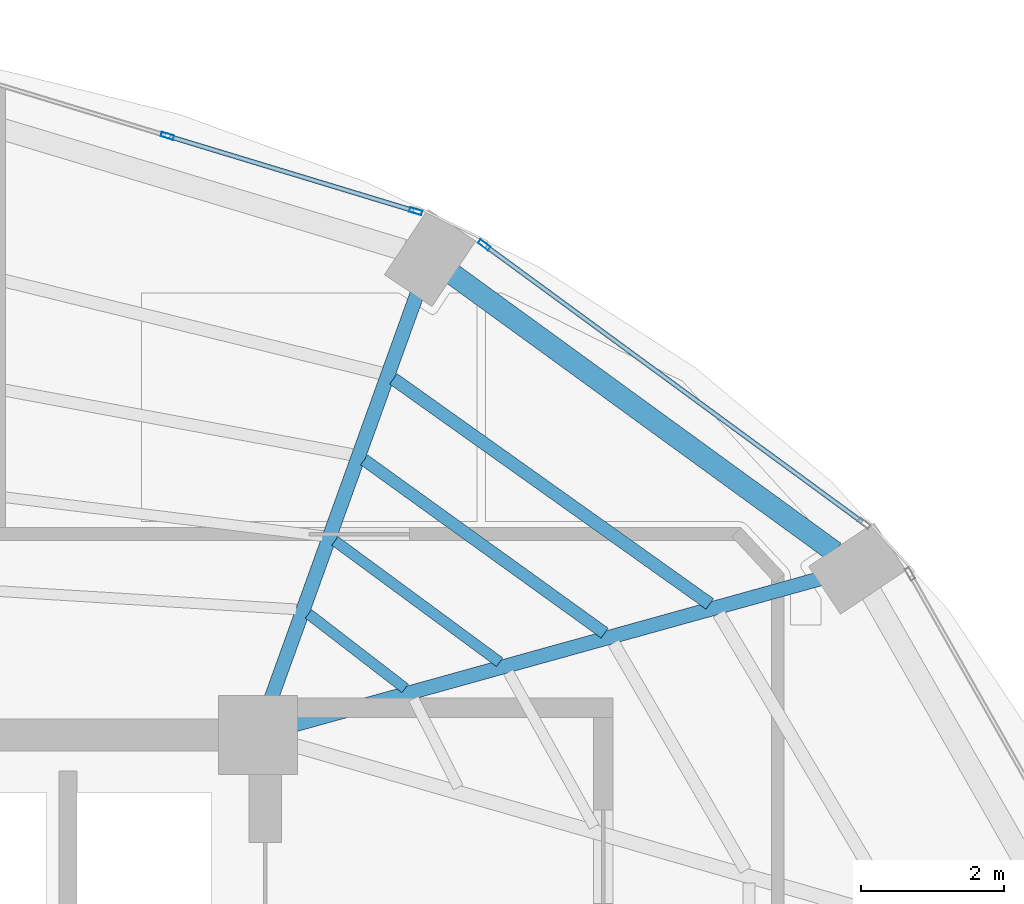
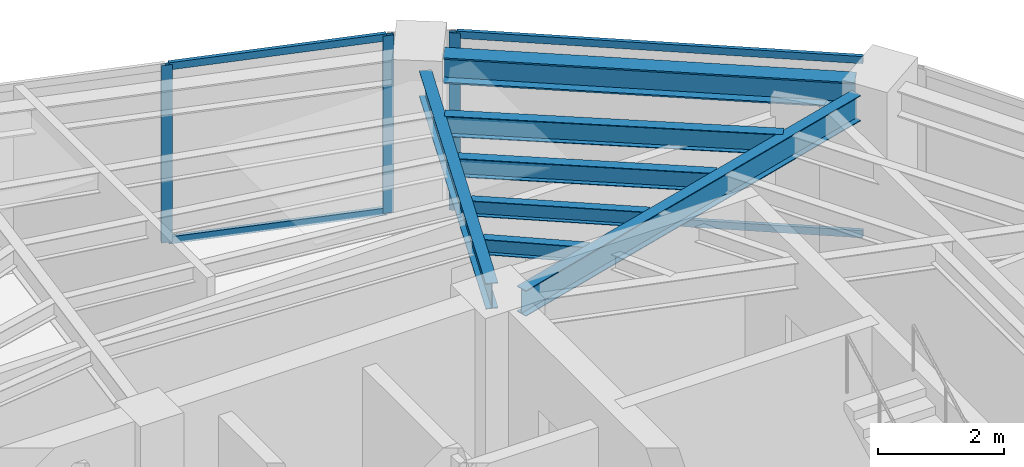
# One storey, part 6 of 15: 7 beams, 7 members, 2 elements without a shape of their own.
"""IFC4 building model written with IfcOpenShell, lengths in metres."""

import ifcopenshell
import ifcopenshell.guid

model = None  # the IFC model being written
_history = None  # IfcOwnerHistory: only IFC2X3 demands one
_inside = {}  # id of a spatial element -> (the spatial element, [elements in it])
_under = {}  # id of a project, library or spatial element -> (it, [spatial elements below it])
_declared = {}  # id of a project -> (the project, [libraries it declares])
_typed = {}  # id of a type object -> (the type object, [elements of that type])
_made_of = {}  # id of a material, layer set ... -> (it, [elements and type objects made of it])


def new_model(schema):
    """Start an empty IFC model of exactly this schema.

    Asked for "IFC4X3", IfcOpenShell would pick the latest addendum, in which some entities
    have other attributes; the version numbers below select the first issue.
    IFC2X3 requires an IfcOwnerHistory on every rooted entity: one is made here for all.
    """
    global model, _history
    if schema == "IFC4X3":
        model = ifcopenshell.file(schema_version=(4, 3, 0, 0))
    else:
        model = ifcopenshell.file(schema=schema)
    _inside.clear()
    _under.clear()
    _declared.clear()
    _typed.clear()
    _made_of.clear()
    _history = None
    if model.schema == "IFC2X3":
        org = make("IfcOrganization", Name="unknown")
        user = make(
            "IfcPersonAndOrganization",
            ThePerson=make("IfcPerson", FamilyName="unknown"),
            TheOrganization=org,
        )
        app = make(
            "IfcApplication",
            ApplicationDeveloper=org,
            Version="unknown",
            ApplicationFullName="unknown",
            ApplicationIdentifier="unknown",
        )
        _history = make(
            "IfcOwnerHistory",
            OwningUser=user,
            OwningApplication=app,
            ChangeAction="ADDED",
            CreationDate=0,
        )
    return model


def make(cls, **values):
    """One entity of the class cls with the attributes given. An attribute that is None is left unset."""
    return model.create_entity(
        cls, **{name: value for name, value in values.items() if value is not None}
    )


def rooted(cls, **values):
    """An entity with a GlobalId (a new one), such as an element, a storey or a relation."""
    return make(cls, GlobalId=ifcopenshell.guid.new(), OwnerHistory=_history, **values)


def si_unit(unit_type, name, prefix=None):
    """IfcSIUnit, for example si_unit("LENGTHUNIT", "METRE", prefix="MILLI")."""
    return make("IfcSIUnit", UnitType=unit_type, Prefix=prefix, Name=name)


def assignment(units):
    """IfcUnitAssignment: the units of a project."""
    return None if units is None else make("IfcUnitAssignment", Units=units)


def point(xyz):
    """IfcCartesianPoint."""
    return None if xyz is None else make("IfcCartesianPoint", Coordinates=xyz)


def direction(xyz):
    """IfcDirection."""
    return None if xyz is None else make("IfcDirection", DirectionRatios=xyz)


def frame(location, z_axis=None, x_axis=None):
    """IfcAxis2Placement3D, a coordinate frame: its origin and axes. An axis left out is left unset."""
    return make(
        "IfcAxis2Placement3D",
        Location=point(location),
        Axis=direction(z_axis),
        RefDirection=direction(x_axis),
    )


def frame_2d(location, x_axis=None):
    """IfcAxis2Placement2D, a coordinate frame in the plane: its origin and x axis."""
    return make(
        "IfcAxis2Placement2D", Location=point(location), RefDirection=direction(x_axis)
    )


def origin():
    """The frame at (0, 0, 0) with its axes left unset."""
    return frame((0.0, 0.0, 0.0))


def origin_2d():
    """The frame at (0, 0) in the plane with its x axis left unset."""
    return frame_2d((0.0, 0.0))


def place(relative_to, where):
    """IfcLocalPlacement: puts the frame where relative to a parent placement (None: the world)."""
    return make(
        "IfcLocalPlacement", PlacementRelTo=relative_to, RelativePlacement=where
    )


def context(
    kind, dimensions, precision=None, world=None, true_north=None, identifier=None
):
    """IfcGeometricRepresentationContext, for example the 3D "Model" context."""
    return make(
        "IfcGeometricRepresentationContext",
        ContextIdentifier=identifier,
        ContextType=kind,
        CoordinateSpaceDimension=dimensions,
        Precision=precision,
        WorldCoordinateSystem=world,
        TrueNorth=true_north,
    )


def subcontext(parent, identifier, kind, view, scale=None):
    """IfcGeometricRepresentationSubContext, for example "Body" below "Model"."""
    return make(
        "IfcGeometricRepresentationSubContext",
        ContextIdentifier=identifier,
        ContextType=kind,
        ParentContext=parent,
        TargetScale=scale,
        TargetView=view,
    )


def project(units=None, contexts=None):
    """IfcProject with its units and contexts."""
    return rooted(
        "IfcProject",
        Name="project",
        RepresentationContexts=contexts,
        UnitsInContext=assignment(units),
    )


def spatial(cls, under=None, at=None, **own):
    """A site, building, storey or space (cls), placed at a placement, below another one or the project."""
    s = rooted(cls, ObjectPlacement=at, **own)
    if under is not None:
        _under.setdefault(under.id(), (under, []))[1].append(s)
    return s


def profile(cls, at=None, kind="AREA", **sizes):
    """A parametric profile (cls). Its sizes go by their IFC names, for example OverallWidth=200.0."""
    return make(cls, ProfileType=kind, Position=at, **sizes)


def hollow_rectangle(**sizes):
    """IfcRectangleHollowProfileDef."""
    return profile("IfcRectangleHollowProfileDef", **sizes)


def i_section(**sizes):
    """IfcIShapeProfileDef."""
    return profile("IfcIShapeProfileDef", **sizes)


def extrude(swept, where, along, depth):
    """IfcExtrudedAreaSolid: the profile swept, set in the frame where, extruded along a direction by depth."""
    return make(
        "IfcExtrudedAreaSolid",
        SweptArea=swept,
        Position=where,
        ExtrudedDirection=direction(along),
        Depth=depth,
    )


def shape(context_of_items, identifier, shape_type, items):
    """IfcShapeRepresentation: the items that make up one representation, for example the "Body"."""
    return make(
        "IfcShapeRepresentation",
        ContextOfItems=context_of_items,
        RepresentationIdentifier=identifier,
        RepresentationType=shape_type,
        Items=items,
    )


def material(Name=None, Category=None):
    """IfcMaterial."""
    return make("IfcMaterial", Name=Name, Category=Category)


def layer(
    of_material, thickness, ventilated=None, Name=None, Category=None, Priority=None
):
    """IfcMaterialLayer: one layer of a wall or slab, of a material (None: an air gap)."""
    return make(
        "IfcMaterialLayer",
        Material=of_material,
        LayerThickness=thickness,
        IsVentilated=ventilated,
        Name=Name,
        Category=Category,
        Priority=Priority,
    )


def layer_set(layers, Name=None):
    """IfcMaterialLayerSet."""
    return make("IfcMaterialLayerSet", MaterialLayers=layers, LayerSetName=Name)


def material_profile(
    of_material, cross_section, Name=None, Category=None, Priority=None
):
    """IfcMaterialProfile: a cross section and its material."""
    return make(
        "IfcMaterialProfile",
        Name=Name,
        Material=of_material,
        Profile=cross_section,
        Priority=Priority,
        Category=Category,
    )


def profile_set(profiles, Name=None, composite=None):
    """IfcMaterialProfileSet."""
    return make(
        "IfcMaterialProfileSet",
        Name=Name,
        MaterialProfiles=profiles,
        CompositeProfile=composite,
    )


def made_of(thing, what):
    """Note that an element or type object is made of a material, layer set ...; save() writes the relation."""
    if what is not None:
        _made_of.setdefault(what.id(), (what, []))[1].append(thing)
    return thing


def type_object(cls, material=None, **own):
    """A type object (cls), such as IfcWallType, which elements share."""
    return made_of(rooted(cls, **own), material)


def element(
    cls,
    number,
    at=None,
    inside=None,
    cuts=None,
    type_object=None,
    material=None,
    context=None,
    identifier="Body",
    shape_type=None,
    held_by="IfcProductDefinitionShape",
    body=None,
    shapes=None,
    **own,
):
    """One element of the class cls, such as IfcWall. Its Tag is "e" and its number.

    at: its placement. inside: the storey or other place that contains it. cuts: it is an
    opening in that element (IfcRelVoidsElement). A single representation is given by context,
    identifier, shape_type and body (its items); several are given by shapes. held_by: the class
    of the entity that holds the representations. save() writes the other relations.
    """
    e = rooted(cls, Tag="e%d" % number, ObjectPlacement=at, **own)
    if body is not None:
        shapes = [shape(context, identifier, shape_type, body)]
    if shapes is not None:
        e.Representation = make(held_by, Representations=shapes)
    if inside is not None:
        _inside.setdefault(inside.id(), (inside, []))[1].append(e)
    if cuts is not None:
        rooted(
            "IfcRelVoidsElement", RelatingBuildingElement=cuts, RelatedOpeningElement=e
        )
    if type_object is not None:
        _typed.setdefault(type_object.id(), (type_object, []))[1].append(e)
    return made_of(e, material)


def aggregate(whole, parts):
    """IfcRelAggregates: a whole, such as a stair, and the parts it consists of."""
    return rooted("IfcRelAggregates", RelatingObject=whole, RelatedObjects=parts)


def save(model, path):
    """Write the relations noted so far, then the file.

    IfcRelAggregates (storeys below a building ...), IfcRelContainedInSpatialStructure (elements
    in a storey), IfcRelDefinesByType, IfcRelAssociatesMaterial and IfcRelDeclares: one each for
    every whole, place, type object, material and project.
    """
    for whole, parts in _under.values():
        aggregate(whole, parts)
    for where, things in _inside.values():
        rooted(
            "IfcRelContainedInSpatialStructure",
            RelatedElements=things,
            RelatingStructure=where,
        )
    for kind, things in _typed.values():
        rooted("IfcRelDefinesByType", RelatedObjects=things, RelatingType=kind)
    for what, things in _made_of.values():
        rooted("IfcRelAssociatesMaterial", RelatedObjects=things, RelatingMaterial=what)
    for by, libraries in _declared.values():
        rooted("IfcRelDeclares", RelatingContext=by, RelatedDefinitions=libraries)
    model.write(path)


model = new_model("IFC4")

# Units and contexts
model_context = context("Model", 3, precision=1e-05, world=origin(), true_north=direction((0.0, 1.0)))
body_context = subcontext(model_context, "Body", "Model", "MODEL_VIEW")
ifc_project = project(units=[si_unit("LENGTHUNIT", "METRE"), si_unit("AREAUNIT", "SQUARE_METRE"), si_unit("VOLUMEUNIT", "CUBIC_METRE"), si_unit("PLANEANGLEUNIT", "RADIAN"), si_unit("MASSUNIT", "GRAM", prefix="KILO")], contexts=[model_context])

# Site, building, storey
site_placement = place(None, origin())
site = spatial("IfcSite", under=ifc_project, at=site_placement, CompositionType="ELEMENT")
building_placement = place(site_placement, origin())
building = spatial("IfcBuilding", under=site, at=building_placement, Name="Lazwardi Medical Tower", CompositionType="ELEMENT")
storey_placement = place(building_placement, frame((0.0, 0.0, 280.56005859375)))
storey = spatial("IfcBuildingStorey", under=building, at=storey_placement, Name="L73", CompositionType="ELEMENT", Elevation=280.56005859375)

# Beams
ifc_material_1 = material(Name="Steel S355", Category="steel")
ifc_material_profile_1 = material_profile(ifc_material_1, i_section(OverallWidth=0.300048828125, OverallDepth=0.5, WebThickness=0.014404296875, FlangeThickness=0.028076171875, at=origin_2d()), Name="HEB 500")
ifc_profile_set_1 = profile_set([ifc_material_profile_1], Name="Steel S355")
beam_type_1 = type_object("IfcBeamType", Name="BM-RB-Z4", PredefinedType="BEAM", material=ifc_profile_set_1)
beam_1_placement = place(storey_placement, frame((53.644287109375, 38.15185546875, 3.197998046875), z_axis=(-0.808889916254, 0.587960120571, 0.0), x_axis=(-0.587960120571, -0.808889916254, 0.0)))
element("IfcBeam", 1, at=beam_1_placement, inside=storey, type_object=beam_type_1, Name="Ring beam RB-05 B06 L73", PredefinedType="BEAM", context=body_context, shape_type="SweptSolid", body=[
    extrude(i_section(OverallWidth=0.300048828125, OverallDepth=0.5, WebThickness=0.014404296875, FlangeThickness=0.028076171875, at=origin_2d()), origin(), (0.0, 0.0, 1.0), 6.587158203125),
])
ifc_material_profile_2 = material_profile(ifc_material_1, i_section(OverallWidth=0.199951171875, OverallDepth=0.5, WebThickness=0.01025390625, FlangeThickness=0.01611328125, at=origin_2d()), Name="IPE 500")
ifc_profile_set_2 = profile_set([ifc_material_profile_2], Name="Steel S355")
beam_type_2 = type_object("IfcBeamType", Name="BM-RG-W3", PredefinedType="BEAM", material=ifc_profile_set_2)
beam_2_placement = place(storey_placement, frame((53.444091796875, 37.779296875, 3.197998046875), z_axis=(-0.963504112843, -0.267693527254, 0.0), x_axis=(0.267693527254, -0.963504112843, 0.0)))
element("IfcBeam", 2, at=beam_2_placement, inside=storey, type_object=beam_type_2, Name="Radial girder RG-04 R06 L73", PredefinedType="BEAM", context=body_context, shape_type="SweptSolid", body=[
    extrude(i_section(OverallWidth=0.199951171875, OverallDepth=0.5, WebThickness=0.01025390625, FlangeThickness=0.01611328125, at=origin_2d()), origin(), (0.0, 0.0, 1.0), 7.606201171875),
])
beam_3_placement = place(storey_placement, frame((47.81884765625, 41.750732421875, 3.197998046875), z_axis=(-0.339348661818, -0.940660664492, 0.0), x_axis=(0.940660664492, -0.339348661818, 0.0)))
element("IfcBeam", 3, at=beam_3_placement, inside=storey, type_object=beam_type_2, Name="Radial girder RG-04 R07 L73", PredefinedType="BEAM", context=body_context, shape_type="SweptSolid", body=[
    extrude(i_section(OverallWidth=0.199951171875, OverallDepth=0.5, WebThickness=0.01025390625, FlangeThickness=0.01611328125, at=origin_2d()), origin(), (0.0, 0.0, 1.0), 6.003662109375),
])
ifc_material_profile_3 = material_profile(ifc_material_1, i_section(OverallWidth=0.179931640625, OverallDepth=0.39990234375, WebThickness=0.008544921875, FlangeThickness=0.013427734375, at=origin_2d()), Name="IPE 400")
ifc_profile_set_3 = profile_set([ifc_material_profile_3], Name="Steel S355")
beam_type_3 = type_object("IfcBeamType", Name="BM-SJ-01", PredefinedType="JOIST", material=ifc_profile_set_3)
beam_4_placement = place(storey_placement, frame((51.901123046875, 37.42724609375, 3.248046875), z_axis=(-0.814846949116, 0.579676159176, 0.0), x_axis=(-0.579676159176, -0.814846949116, 0.0)))
element("IfcBeam", 4, at=beam_4_placement, inside=storey, type_object=beam_type_3, Name="Secondary joist SJ-01 R1 B06 L73", PredefinedType="JOIST", context=body_context, shape_type="SweptSolid", body=[
    extrude(i_section(OverallWidth=0.179931640625, OverallDepth=0.39990234375, WebThickness=0.008544921875, FlangeThickness=0.013427734375, at=origin_2d()), origin(), (0.0, 0.0, 1.0), 5.4150390625),
])
ifc_material_profile_4 = material_profile(ifc_material_1, i_section(OverallWidth=0.169921875, OverallDepth=0.360107421875, WebThickness=0.008056640625, FlangeThickness=0.0126953125, at=origin_2d()), Name="IPE 360")
ifc_profile_set_4 = profile_set([ifc_material_profile_4], Name="Steel S355")
beam_type_4 = type_object("IfcBeamType", Name="BM-SJ-02", PredefinedType="JOIST", material=ifc_profile_set_4)
beam_5_placement = place(storey_placement, frame((50.435546875, 37.0205078125, 3.267822265625), z_axis=(-0.811472726235, 0.58439029302, 0.0), x_axis=(-0.58439029302, -0.811472726235, 0.0)))
element("IfcBeam", 5, at=beam_5_placement, inside=storey, type_object=beam_type_4, Name="Secondary joist SJ-02 R2 B06 L73", PredefinedType="JOIST", context=body_context, shape_type="SweptSolid", body=[
    extrude(i_section(OverallWidth=0.169921875, OverallDepth=0.360107421875, WebThickness=0.008056640625, FlangeThickness=0.0126953125, at=origin_2d()), origin(), (0.0, 0.0, 1.0), 4.1337890625),
])
ifc_material_profile_5 = material_profile(ifc_material_1, i_section(OverallWidth=0.14990234375, OverallDepth=0.300048828125, WebThickness=0.007080078125, FlangeThickness=0.0107421875, at=origin_2d()), Name="IPE 300")
ifc_profile_set_5 = profile_set([ifc_material_profile_5], Name="Steel S355")
beam_type_5 = type_object("IfcBeamType", Name="BM-SJ-03", PredefinedType="JOIST", material=ifc_profile_set_5)
beam_6_placement = place(storey_placement, frame((48.970458984375, 36.614013671875, 3.2978515625), z_axis=(-0.805236450776, 0.592953841662, 0.0), x_axis=(-0.592953841662, -0.805236450776, 0.0)))
element("IfcBeam", 6, at=beam_6_placement, inside=storey, type_object=beam_type_5, Name="Secondary joist SJ-03 R3 B06 L73", PredefinedType="JOIST", context=body_context, shape_type="SweptSolid", body=[
    extrude(i_section(OverallWidth=0.14990234375, OverallDepth=0.300048828125, WebThickness=0.007080078125, FlangeThickness=0.0107421875, at=origin_2d()), origin(), (0.0, 0.0, 1.0), 2.853271484375),
])
beam_7_placement = place(storey_placement, frame((47.652587890625, 36.2490234375, 3.2978515625), z_axis=(-0.792010197197, 0.610507860339, 0.0), x_axis=(-0.610507860339, -0.792010197197, 0.0)))
element("IfcBeam", 7, at=beam_7_placement, inside=storey, type_object=beam_type_5, Name="Secondary joist SJ-03 R4 B06 L73", PredefinedType="JOIST", context=body_context, shape_type="SweptSolid", body=[
    extrude(i_section(OverallWidth=0.14990234375, OverallDepth=0.300048828125, WebThickness=0.007080078125, FlangeThickness=0.0107421875, at=origin_2d()), origin(), (0.0, 0.0, 1.0), 1.70166015625),
])

# Curtain wall, member
ifc_material_2 = material(Name="Anodised bronze aluminium and solar control glazing", Category="aluminium")
ifc_layer = layer(ifc_material_2, 0.18994140625)
ifc_layer_set = layer_set([ifc_layer], Name="Anodised bronze aluminium and solar control glazing")
curtain_wall_type = type_object("IfcCurtainWallType", Name="CW-SYS-04", PredefinedType="NOTDEFINED", material=ifc_layer_set)
curtain_wall_1_placement = place(storey_placement, origin())
curtain_wall_1 = element("IfcCurtainWall", 8, at=curtain_wall_1_placement, inside=storey, type_object=curtain_wall_type, Name="L73 Unitised bronze curtain wall CW-04", PredefinedType="NOTDEFINED")
ifc_material_3 = material(Name="Anodised bronze aluminium", Category="aluminium")
ifc_material_profile_6 = material_profile(ifc_material_3, hollow_rectangle(XDim=0.06494140625, YDim=0.179931640625, WallThickness=0.00390625, at=origin_2d()), Name="ALU-MULLION 180x65x4")
ifc_profile_set_6 = profile_set([ifc_material_profile_6], Name="Anodised bronze aluminium")
member_type_1 = type_object("IfcMemberType", Name="CW-MUL-03", PredefinedType="MULLION", material=ifc_profile_set_6)
member_1_placement = place(storey_placement, frame((48.75537109375, 42.434814453125, 0.0), z_axis=(0.0, 0.0, 1.0), x_axis=(-0.591268230971, -0.806474971121, 0.0)))
member_1 = element("IfcMember", 9, at=member_1_placement, type_object=member_type_1, Name="CW-04 mullion 2", PredefinedType="MULLION", context=body_context, shape_type="SweptSolid", body=[
    extrude(hollow_rectangle(XDim=0.06494140625, YDim=0.179931640625, WallThickness=0.00390625, at=origin_2d()), origin(), (0.0, 0.0, 1.0), 3.447998046875),
])

# Curtain wall, members
curtain_wall_2_placement = place(storey_placement, origin())
curtain_wall_2 = element("IfcCurtainWall", 10, at=curtain_wall_2_placement, inside=storey, type_object=curtain_wall_type, Name="L73 Unitised bronze curtain wall CW-04", PredefinedType="NOTDEFINED")
member_2_placement = place(storey_placement, frame((47.7998046875, 42.903564453125, 0.0), z_axis=(0.0, 0.0, 1.0), x_axis=(-0.290581889515, -0.956850126972, 0.0)))
member_2 = element("IfcMember", 11, at=member_2_placement, type_object=member_type_1, Name="CW-04 mullion 1", PredefinedType="MULLION", context=body_context, shape_type="SweptSolid", body=[
    extrude(hollow_rectangle(XDim=0.06494140625, YDim=0.179931640625, WallThickness=0.00390625, at=origin_2d()), origin(), (0.0, 0.0, 1.0), 3.447998046875),
])
member_3_placement = place(storey_placement, frame((44.33642578125, 43.955322265625, 0.0), z_axis=(0.0, 0.0, 1.0), x_axis=(-0.290581889515, -0.956850126972, 0.0)))
member_3 = element("IfcMember", 12, at=member_3_placement, type_object=member_type_1, Name="CW-04 mullion 2", PredefinedType="MULLION", context=body_context, shape_type="SweptSolid", body=[
    extrude(hollow_rectangle(XDim=0.06494140625, YDim=0.179931640625, WallThickness=0.00390625, at=origin_2d()), origin(), (0.0, 0.0, 1.0), 3.447998046875),
])

# Member
ifc_material_profile_7 = material_profile(ifc_material_3, hollow_rectangle(XDim=0.06494140625, YDim=0.139892578125, WallThickness=0.00341796875, at=origin_2d()), Name="ALU-TRANSOM 140x65x3.5")
ifc_profile_set_7 = profile_set([ifc_material_profile_7], Name="Anodised bronze aluminium")
member_type_2 = type_object("IfcMemberType", Name="CW-TRN-03", PredefinedType="USERDEFINED", material=ifc_profile_set_7)
member_4_placement = place(storey_placement, frame((54.02587890625, 38.57080078125, 0.032470703125), z_axis=(-0.806471831148, 0.591272513791, 0.0), x_axis=(-0.591272513791, -0.806471831148, 0.0)))
member_4 = element("IfcMember", 13, at=member_4_placement, type_object=member_type_2, Name="CW-04 transom 1.1", ObjectType="TRANSOM", PredefinedType="USERDEFINED", context=body_context, shape_type="SweptSolid", body=[
    extrude(hollow_rectangle(XDim=0.06494140625, YDim=0.139892578125, WallThickness=0.00341796875, at=origin_2d()), origin(), (0.0, 0.0, 1.0), 6.5029296875),
])

member_5_placement = place(storey_placement, frame((54.02587890625, 38.57080078125, 3.41552734375), z_axis=(-0.806471831148, 0.591272513791, 0.0), x_axis=(-0.591272513791, -0.806471831148, 0.0)))
member_5 = element("IfcMember", 14, at=member_5_placement, type_object=member_type_2, Name="CW-04 transom 1.2", ObjectType="TRANSOM", PredefinedType="USERDEFINED", context=body_context, shape_type="SweptSolid", body=[
    extrude(hollow_rectangle(XDim=0.06494140625, YDim=0.139892578125, WallThickness=0.00341796875, at=origin_2d()), origin(), (0.0, 0.0, 1.0), 6.5029296875),
])

aggregate(curtain_wall_1, [member_1, member_4, member_5])

member_6_placement = place(storey_placement, frame((47.7685546875, 42.9130859375, 0.032470703125), z_axis=(-0.956862505902, 0.290541124109, 0.0), x_axis=(-0.290541124109, -0.956862505902, 0.0)))
member_6 = element("IfcMember", 15, at=member_6_placement, type_object=member_type_2, Name="CW-04 transom 1.1", ObjectType="TRANSOM", PredefinedType="USERDEFINED", context=body_context, shape_type="SweptSolid", body=[
    extrude(hollow_rectangle(XDim=0.06494140625, YDim=0.139892578125, WallThickness=0.00341796875, at=origin_2d()), origin(), (0.0, 0.0, 1.0), 3.554443359375),
])

member_7_placement = place(storey_placement, frame((47.7685546875, 42.9130859375, 3.41552734375), z_axis=(-0.956862505902, 0.290541124109, 0.0), x_axis=(-0.290541124109, -0.956862505902, 0.0)))
member_7 = element("IfcMember", 16, at=member_7_placement, type_object=member_type_2, Name="CW-04 transom 1.2", ObjectType="TRANSOM", PredefinedType="USERDEFINED", context=body_context, shape_type="SweptSolid", body=[
    extrude(hollow_rectangle(XDim=0.06494140625, YDim=0.139892578125, WallThickness=0.00341796875, at=origin_2d()), origin(), (0.0, 0.0, 1.0), 3.554443359375),
])

aggregate(curtain_wall_2, [member_2, member_3, member_6, member_7])

save(model, "model.ifc")
